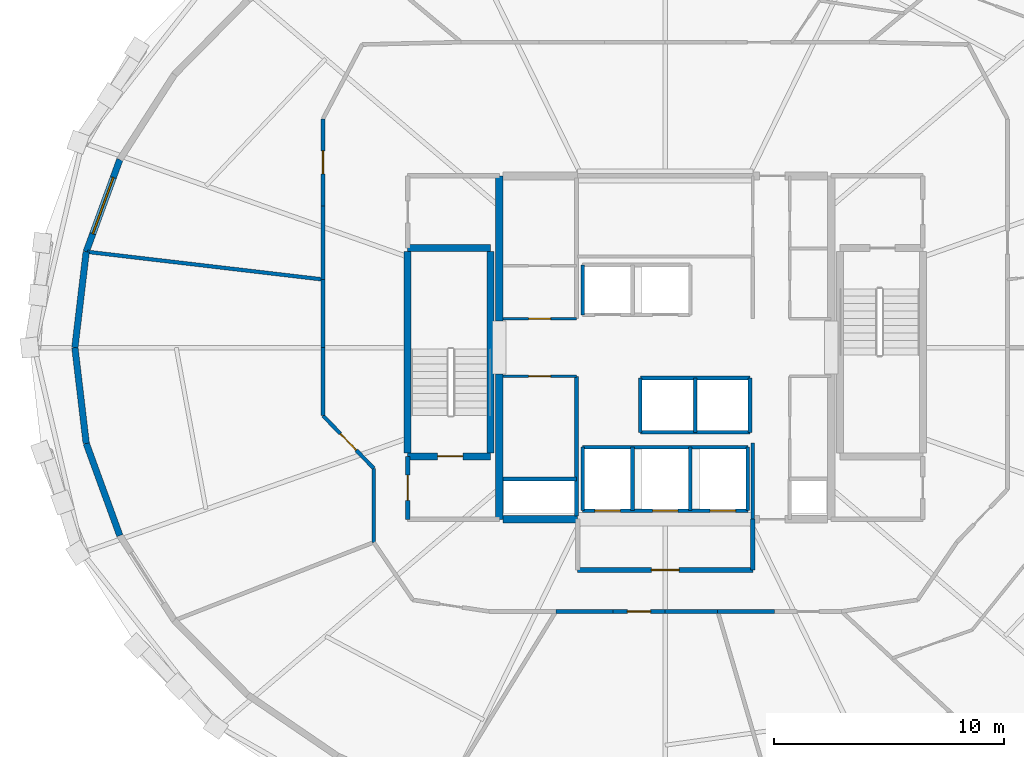
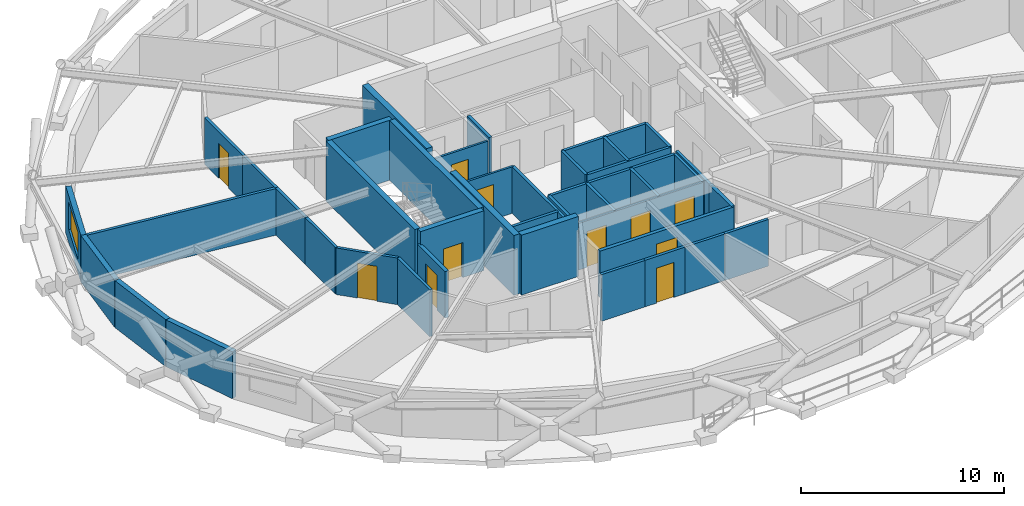
# One storey, part 11 of 15: 42 walls, 11 doors, 1 window, 12 openings.
"""IFC4 building model written with IfcOpenShell, lengths in metres."""

from ifc_helpers import new_model, si_unit, direction, frame, frame_2d, origin, place, context, subcontext, project, spatial, rectangle, extrude, material, layer, layer_set, type_object, element, fill, save


model = new_model("IFC4")

# Units and contexts
model_context = context("Model", 3, precision=1e-05, world=origin(), true_north=direction((0.0, 1.0)))
body_context = subcontext(model_context, "Body", "Model", "MODEL_VIEW")
ifc_project = project(units=[si_unit("LENGTHUNIT", "METRE"), si_unit("AREAUNIT", "SQUARE_METRE"), si_unit("VOLUMEUNIT", "CUBIC_METRE"), si_unit("PLANEANGLEUNIT", "RADIAN"), si_unit("MASSUNIT", "GRAM", prefix="KILO")], contexts=[model_context])

# Site, building, storey
site_placement = place(None, origin())
site = spatial("IfcSite", under=ifc_project, at=site_placement, CompositionType="ELEMENT")
building_placement = place(site_placement, origin())
building = spatial("IfcBuilding", under=site, at=building_placement, Name="Veldorina Hangang Commons", CompositionType="ELEMENT")
storey_placement = place(building_placement, frame((0.0, 0.0, 182.0)))
storey = spatial("IfcBuildingStorey", under=building, at=storey_placement, Name="L47", CompositionType="ELEMENT", Elevation=182.0)

# Walls
ifc_material_1 = material(Name="Concrete C60/75", Category="concrete")
ifc_layer_1 = layer(ifc_material_1, 0.340087890625)
ifc_layer_set_1 = layer_set([ifc_layer_1], Name="Concrete C60/75")
wall_type_1 = type_object("IfcWallType", Name="CW-RC340-C60", PredefinedType="SHEAR", material=ifc_layer_set_1)
for number, where, z_axis, x_axis, name in (
    (1, (24.800048828125, 16.550048828125, 0.0), (0.0, 0.0, 1.0), (0.0, 1.0, 0.0), "L47 W south core shear wall"),
    (2, (24.800048828125, 25.14990234375, 0.0), (0.0, 0.0, 1.0), (0.0, 1.0, 0.0), "L47 W north core shear wall"),
):
    element("IfcWall", number, at=place(storey_placement, frame(where, z_axis=z_axis, x_axis=x_axis)), inside=storey, type_object=wall_type_1, Name=name, PredefinedType="SHEAR", context=body_context, shape_type="SweptSolid", body=[
        extrude(rectangle(XDim=6.300048828125, YDim=0.340087890625, at=frame_2d((3.14990234375, 0.0))), origin(), (0.0, 0.0, 1.0), 3.60009765625),
    ])
wall_1_placement = place(storey_placement, frame((24.969970703125, 16.550048828125, 0.0), z_axis=(0.0, 0.0, 1.0), x_axis=(1.0, 0.0, 0.0)))
element("IfcWall", 3, at=wall_1_placement, inside=storey, type_object=wall_type_1, Name="L47 south-west core shear wall", PredefinedType="SHEAR", context=body_context, shape_type="SweptSolid", body=[
    extrude(rectangle(XDim=3.22998046875, YDim=0.340087890625, at=frame_2d((1.614990234375, 0.0))), origin(), (0.0, 0.0, 1.0), 3.60009765625),
])

# Wall, opening, window
ifc_material_2 = material(Name="Stone Roman Travertine", Category="masonry")
ifc_layer_2 = layer(ifc_material_2, 0.280029296875)
ifc_layer_set_2 = layer_set([ifc_layer_2], Name="Stone Roman Travertine")
wall_type_2 = type_object("IfcWallType", Name="EW-TRAV-280", PredefinedType="STANDARD", material=ifc_layer_set_2)
wall_2_placement = place(storey_placement, frame((8.333740234375, 32.1572265625, 0.0), z_axis=(0.0, 0.0, 1.0), x_axis=(-0.342502880714, -0.939516778298, 0.0)))
wall_2 = element("IfcWall", 4, at=wall_2_placement, inside=storey, type_object=wall_type_2, Name="L47 travertine facade wall 14", PredefinedType="STANDARD", context=body_context, shape_type="SweptSolid", body=[
    extrude(rectangle(XDim=4.256103515625, YDim=0.280029296875, at=frame_2d((2.1279296875, 0.0))), origin(), (0.0, 0.0, 1.0), 2.820068359375),
])
opening_1_placement = place(wall_2_placement, frame((0.828125, 0.0, 0.800048828125)))
opening_1 = element("IfcOpeningElement", 5, at=opening_1_placement, cuts=wall_2, Name="Opening W-02", PredefinedType="OPENING", context=body_context, shape_type="SweptSolid", body=[
    extrude(rectangle(XDim=2.60009765625, YDim=1.64990234375, at=frame_2d((1.300048828125, 0.824951171875))), frame((0.0, 0.14990234375, 0.0), z_axis=(0.0, -1.0, 0.0), x_axis=(1.0, 0.0, 0.0)), (0.0, 0.0, 1.0), 0.300048828125),
])
ifc_material_3 = material(Name="Glass Low-E Triple IGU", Category="glass")
window_type = type_object("IfcWindowType", Name="WIN-TWR-2600", PartitioningType="SINGLE_PANEL", PredefinedType="WINDOW", material=ifc_material_3)
window_placement = place(opening_1_placement, origin())
window = element("IfcWindow", 6, at=window_placement, inside=storey, type_object=window_type, Name="L47 facade window 14", OverallHeight=1.64990234375, OverallWidth=2.60009765625, PartitioningType="SINGLE_PANEL", PredefinedType="WINDOW", context=body_context, shape_type="SweptSolid", body=[
    extrude(rectangle(XDim=2.60009765625, YDim=1.64990234375, at=frame_2d((1.300048828125, 0.824951171875))), frame((0.0, 0.030029296875, 0.0), z_axis=(0.0, -1.0, 0.0), x_axis=(1.0, 0.0, 0.0)), (0.0, 0.0, 1.0), 0.06005859375),
])
fill(opening_1, window)

# Walls
for number, where, z_axis, x_axis, name in (
    (7, (6.8759765625, 28.158447265625, 0.0), (0.0, 0.0, 1.0), (-0.117538064351, -0.993068378023, 0.0), "L47 travertine facade wall 15"),
    (8, (6.3837890625, 24.0, 0.0), (0.0, 0.0, 1.0), (0.117538064351, -0.993068378023, 0.0), "L47 travertine facade wall 16"),
):
    element("IfcWall", number, at=place(storey_placement, frame(where, z_axis=z_axis, x_axis=x_axis)), inside=storey, type_object=wall_type_2, Name=name, PredefinedType="STANDARD", context=body_context, shape_type="SweptSolid", body=[
        extrude(rectangle(XDim=4.1875, YDim=0.280029296875, at=frame_2d((2.09375, 0.0))), origin(), (0.0, 0.0, 1.0), 2.820068359375),
    ])
wall_3_placement = place(storey_placement, frame((6.8759765625, 19.841552734375, 0.0), z_axis=(0.0, 0.0, 1.0), x_axis=(0.342502880714, -0.939516778298, 0.0)))
element("IfcWall", 9, at=wall_3_placement, inside=storey, type_object=wall_type_2, Name="L47 travertine facade wall 17", PredefinedType="STANDARD", context=body_context, shape_type="SweptSolid", body=[
    extrude(rectangle(XDim=4.256103515625, YDim=0.280029296875, at=frame_2d((2.1279296875, 0.0))), origin(), (0.0, 0.0, 1.0), 2.820068359375),
])
ifc_material_4 = material(Name="Concrete C50/60", Category="concrete")
ifc_layer_3 = layer(ifc_material_4, 0.300048828125)
ifc_layer_set_3 = layer_set([ifc_layer_3], Name="Concrete C50/60")
wall_type_3 = type_object("IfcWallType", Name="SW-STAIR-300", PredefinedType="SHEAR", material=ifc_layer_set_3)
for number, where, z_axis, x_axis, name in (
    (10, (20.820068359375, 19.429931640625, 0.0), (0.0, 0.0, 1.0), (0.0, 1.0, 0.0), "L47 ST1 outer stair shear wall"),
    (11, (24.419921875, 19.429931640625, 0.0), (0.0, 0.0, 1.0), (0.0, 1.0, 0.0), "L47 ST1 inner stair shear wall"),
):
    element("IfcWall", number, at=place(storey_placement, frame(where, z_axis=z_axis, x_axis=x_axis)), inside=storey, type_object=wall_type_3, Name=name, PredefinedType="SHEAR", context=body_context, shape_type="SweptSolid", body=[
        extrude(rectangle(XDim=8.739990234375, YDim=0.300048828125, at=frame_2d((4.3701171875, 0.0))), origin(), (0.0, 0.0, 1.0), 3.60009765625),
    ])

# Wall, opening, door
wall_4_placement = place(storey_placement, frame((20.820068359375, 19.280029296875, 0.0), z_axis=(0.0, 0.0, 1.0), x_axis=(1.0, 0.0, 0.0)))
wall_4 = element("IfcWall", 12, at=wall_4_placement, inside=storey, type_object=wall_type_3, Name="L47 ST1 south stair shear wall", PredefinedType="SHEAR", context=body_context, shape_type="SweptSolid", body=[
    extrude(rectangle(XDim=3.599853515625, YDim=0.300048828125, at=frame_2d((1.7998046875, 0.0))), origin(), (0.0, 0.0, 1.0), 3.60009765625),
])
opening_2_placement = place(wall_4_placement, frame((1.300048828125, 0.0, 0.0)))
opening_2 = element("IfcOpeningElement", 13, at=opening_2_placement, cuts=wall_4, Name="Opening D-08", PredefinedType="OPENING", context=body_context, shape_type="SweptSolid", body=[
    extrude(rectangle(XDim=1.10009765625, YDim=2.10009765625, at=frame_2d((0.550048828125, 1.050048828125))), frame((0.0, 0.16015625, 0.0), z_axis=(0.0, -1.0, 0.0), x_axis=(1.0, 0.0, 0.0)), (0.0, 0.0, 1.0), 0.320068359375),
])
ifc_material_5 = material(Name="Steel Fire-Rated Smoke Seal", Category="steel")
door_type_1 = type_object("IfcDoorType", Name="DR-FIRE-1100", OperationType="SINGLE_SWING_RIGHT", PredefinedType="DOOR", material=ifc_material_5)
door_1_placement = place(opening_2_placement, origin())
door_1 = element("IfcDoor", 14, at=door_1_placement, inside=storey, type_object=door_type_1, Name="L47 Special Escape Stair ST-1 door", OperationType="SINGLE_SWING_LEFT", OverallHeight=2.10009765625, OverallWidth=1.10009765625, PredefinedType="DOOR", context=body_context, shape_type="SweptSolid", body=[
    extrude(rectangle(XDim=1.10009765625, YDim=2.10009765625, at=frame_2d((0.550048828125, 1.050048828125))), frame((0.0, 0.02490234375, 0.0), z_axis=(0.0, -1.0, 0.0), x_axis=(1.0, 0.0, 0.0)), (0.0, 0.0, 1.0), 0.050048828125),
])
fill(opening_2, door_1)

# Walls
wall_5_placement = place(storey_placement, frame((20.820068359375, 28.320068359375, 0.0), z_axis=(0.0, 0.0, 1.0), x_axis=(1.0, 0.0, 0.0)))
element("IfcWall", 15, at=wall_5_placement, inside=storey, type_object=wall_type_3, Name="L47 ST1 north stair shear wall", PredefinedType="SHEAR", context=body_context, shape_type="SweptSolid", body=[
    extrude(rectangle(XDim=3.599853515625, YDim=0.300048828125, at=frame_2d((1.7998046875, 0.0))), origin(), (0.0, 0.0, 1.0), 3.60009765625),
])
ifc_material_6 = material(Name="Gypsum Fire-Rated Twin Stud Wall", Category="gypsum")
ifc_layer_4 = layer(ifc_material_6, 0.159912109375)
ifc_layer_set_4 = layer_set([ifc_layer_4], Name="Gypsum Fire-Rated Twin Stud Wall")
wall_type_4 = type_object("IfcWallType", Name="WL-FIRE-160", PredefinedType="SOLIDWALL", material=ifc_layer_set_4)
wall_6_placement = place(storey_placement, frame((35.800048828125, 16.550048828125, 0.0), z_axis=(0.0, 0.0, 1.0), x_axis=(0.0, 1.0, 0.0)))
element("IfcWall", 16, at=wall_6_placement, inside=storey, type_object=wall_type_4, Name="L47 Lift passage SW wall 009", PredefinedType="SOLIDWALL", context=body_context, shape_type="SweptSolid", body=[
    extrude(rectangle(XDim=3.300048828125, YDim=0.159912109375, at=frame_2d((1.64990234375, 0.0))), origin(), (0.0, 0.0, 1.0), 2.800048828125),
])
wall_7_placement = place(storey_placement, frame((28.419921875, 25.419921875, 0.0), z_axis=(0.0, 0.0, 1.0), x_axis=(0.0, 1.0, 0.0)))
element("IfcWall", 17, at=wall_7_placement, inside=storey, type_object=wall_type_4, Name="L47 PL-M1 west shaft wall 017", PredefinedType="SOLIDWALL", context=body_context, shape_type="SweptSolid", body=[
    extrude(rectangle(XDim=2.16015625, YDim=0.159912109375, at=frame_2d((1.080078125, 0.0))), origin(), (0.0, 0.0, 1.0), 2.800048828125),
])
for number, where, z_axis, x_axis, name in (
    (18, (30.919921875, 22.679931640625, 0.0), (0.0, 0.0, 1.0), (1.0, 0.0, 0.0), "L47 Shuttle-high front shaft wall 020"),
    (19, (30.919921875, 20.320068359375, 0.0), (0.0, 0.0, 1.0), (1.0, 0.0, 0.0), "L47 Shuttle-high rear shaft wall 021"),
):
    element("IfcWall", number, at=place(storey_placement, frame(where, z_axis=z_axis, x_axis=x_axis)), inside=storey, type_object=wall_type_4, Name=name, PredefinedType="SOLIDWALL", context=body_context, shape_type="SweptSolid", body=[
        extrude(rectangle(XDim=4.760009765625, YDim=0.159912109375, at=frame_2d((2.3798828125, 0.0))), origin(), (0.0, 0.0, 1.0), 2.800048828125),
    ])
for number, where, z_axis, x_axis, name in (
    (20, (30.919921875, 20.320068359375, 0.0), (0.0, 0.0, 1.0), (0.0, 1.0, 0.0), "L47 SL-1 west shaft wall 022"),
    (21, (33.300048828125, 20.320068359375, 0.0), (0.0, 0.0, 1.0), (0.0, 1.0, 0.0), "L47 SL-1 east shaft wall 023"),
    (22, (35.679931640625, 20.320068359375, 0.0), (0.0, 0.0, 1.0), (0.0, 1.0, 0.0), "L47 SL-2 east shaft wall 024"),
):
    element("IfcWall", number, at=place(storey_placement, frame(where, z_axis=z_axis, x_axis=x_axis)), inside=storey, type_object=wall_type_4, Name=name, PredefinedType="SOLIDWALL", context=body_context, shape_type="SweptSolid", body=[
        extrude(rectangle(XDim=2.35986328125, YDim=0.159912109375, at=frame_2d((1.179931640625, 0.0))), origin(), (0.0, 0.0, 1.0), 2.800048828125),
    ])

# Wall, openings, doors
wall_8_placement = place(storey_placement, frame((28.419921875, 16.919921875, 0.0), z_axis=(0.0, 0.0, 1.0), x_axis=(1.0, 0.0, 0.0)))
wall_8 = element("IfcWall", 23, at=wall_8_placement, inside=storey, type_object=wall_type_4, Name="L47 Emergency front shaft wall 025", PredefinedType="SOLIDWALL", context=body_context, shape_type="SweptSolid", body=[
    extrude(rectangle(XDim=7.16015625, YDim=0.159912109375, at=frame_2d((3.580078125, 0.0))), origin(), (0.0, 0.0, 1.0), 2.800048828125),
])
opening_3_placement = place(wall_8_placement, frame((0.530029296875, 0.0, 0.0)))
opening_3 = element("IfcOpeningElement", 24, at=opening_3_placement, cuts=wall_8, Name="Opening LD-03", PredefinedType="OPENING", context=body_context, shape_type="SweptSolid", body=[
    extrude(rectangle(XDim=1.10009765625, YDim=2.14990234375, at=frame_2d((0.550048828125, 1.074951171875))), frame((0.0, 0.08984375, 0.0), z_axis=(0.0, -1.0, 0.0), x_axis=(1.0, 0.0, 0.0)), (0.0, 0.0, 1.0), 0.179931640625),
])
opening_4_placement = place(wall_8_placement, frame((3.030029296875, 0.0, 0.0)))
opening_4 = element("IfcOpeningElement", 25, at=opening_4_placement, cuts=wall_8, Name="Opening LD-03", PredefinedType="OPENING", context=body_context, shape_type="SweptSolid", body=[
    extrude(rectangle(XDim=1.10009765625, YDim=2.14990234375, at=frame_2d((0.550048828125, 1.074951171875))), frame((0.0, 0.08984375, 0.0), z_axis=(0.0, -1.0, 0.0), x_axis=(1.0, 0.0, 0.0)), (0.0, 0.0, 1.0), 0.179931640625),
])
opening_5_placement = place(wall_8_placement, frame((5.530029296875, 0.0, 0.0)))
opening_5 = element("IfcOpeningElement", 26, at=opening_5_placement, cuts=wall_8, Name="Opening LD-03", PredefinedType="OPENING", context=body_context, shape_type="SweptSolid", body=[
    extrude(rectangle(XDim=1.10009765625, YDim=2.14990234375, at=frame_2d((0.550048828125, 1.074951171875))), frame((0.0, 0.08984375, 0.0), z_axis=(0.0, -1.0, 0.0), x_axis=(1.0, 0.0, 0.0)), (0.0, 0.0, 1.0), 0.179931640625),
])
ifc_material_7 = material(Name="Stainless Steel Firefighting Lift Door", Category="steel")
door_type_2 = type_object("IfcDoorType", Name="DR-LIFT-FF1100", OperationType="SLIDING_TO_RIGHT", PredefinedType="DOOR", material=ifc_material_7)
door_2_placement = place(opening_3_placement, origin())
door_2 = element("IfcDoor", 27, at=door_2_placement, inside=storey, type_object=door_type_2, Name="L47 Emergency lift FFL-1 landing door 008", OperationType="SLIDING_TO_RIGHT", OverallHeight=2.14990234375, OverallWidth=1.10009765625, PredefinedType="DOOR", context=body_context, shape_type="SweptSolid", body=[
    extrude(rectangle(XDim=1.10009765625, YDim=2.14990234375, at=frame_2d((0.550048828125, 1.074951171875))), frame((0.0, 0.02490234375, 0.0), z_axis=(0.0, -1.0, 0.0), x_axis=(1.0, 0.0, 0.0)), (0.0, 0.0, 1.0), 0.050048828125),
])
fill(opening_3, door_2)
door_3_placement = place(opening_4_placement, origin())
door_3 = element("IfcDoor", 28, at=door_3_placement, inside=storey, type_object=door_type_2, Name="L47 Emergency lift FFL-2 landing door 009", OperationType="SLIDING_TO_RIGHT", OverallHeight=2.14990234375, OverallWidth=1.10009765625, PredefinedType="DOOR", context=body_context, shape_type="SweptSolid", body=[
    extrude(rectangle(XDim=1.10009765625, YDim=2.14990234375, at=frame_2d((0.550048828125, 1.074951171875))), frame((0.0, 0.02490234375, 0.0), z_axis=(0.0, -1.0, 0.0), x_axis=(1.0, 0.0, 0.0)), (0.0, 0.0, 1.0), 0.050048828125),
])
fill(opening_4, door_3)
door_4_placement = place(opening_5_placement, origin())
door_4 = element("IfcDoor", 29, at=door_4_placement, inside=storey, type_object=door_type_2, Name="L47 Emergency lift EVL-1 landing door 010", OperationType="SLIDING_TO_RIGHT", OverallHeight=2.14990234375, OverallWidth=1.10009765625, PredefinedType="DOOR", context=body_context, shape_type="SweptSolid", body=[
    extrude(rectangle(XDim=1.10009765625, YDim=2.14990234375, at=frame_2d((0.550048828125, 1.074951171875))), frame((0.0, 0.02490234375, 0.0), z_axis=(0.0, -1.0, 0.0), x_axis=(1.0, 0.0, 0.0)), (0.0, 0.0, 1.0), 0.050048828125),
])
fill(opening_5, door_4)

# Walls
wall_9_placement = place(storey_placement, frame((28.419921875, 19.679931640625, 0.0), z_axis=(0.0, 0.0, 1.0), x_axis=(1.0, 0.0, 0.0)))
element("IfcWall", 30, at=wall_9_placement, inside=storey, type_object=wall_type_4, Name="L47 Emergency rear shaft wall 026", PredefinedType="SOLIDWALL", context=body_context, shape_type="SweptSolid", body=[
    extrude(rectangle(XDim=7.16015625, YDim=0.159912109375, at=frame_2d((3.580078125, 0.0))), origin(), (0.0, 0.0, 1.0), 2.800048828125),
])
for number, where, z_axis, x_axis, name in (
    (31, (28.419921875, 16.919921875, 0.0), (0.0, 0.0, 1.0), (0.0, 1.0, 0.0), "L47 FFL-1 west shaft wall 027"),
    (32, (30.580078125, 16.919921875, 0.0), (0.0, 0.0, 1.0), (0.0, 1.0, 0.0), "L47 FFL-1 east shaft wall 028"),
    (33, (33.080078125, 16.919921875, 0.0), (0.0, 0.0, 1.0), (0.0, 1.0, 0.0), "L47 FFL-2 east shaft wall 029"),
    (34, (35.580078125, 16.919921875, 0.0), (0.0, 0.0, 1.0), (0.0, 1.0, 0.0), "L47 EVL-1 east shaft wall 030"),
):
    element("IfcWall", number, at=place(storey_placement, frame(where, z_axis=z_axis, x_axis=x_axis)), inside=storey, type_object=wall_type_4, Name=name, PredefinedType="SOLIDWALL", context=body_context, shape_type="SweptSolid", body=[
        extrude(rectangle(XDim=2.760009765625, YDim=0.159912109375, at=frame_2d((1.3798828125, 0.0))), origin(), (0.0, 0.0, 1.0), 2.800048828125),
    ])
wall_10_placement = place(storey_placement, frame((24.949951171875, 18.300048828125, 0.0), z_axis=(0.0, 0.0, 1.0), x_axis=(1.0, 0.0, 0.0)))
element("IfcWall", 35, at=wall_10_placement, inside=storey, type_object=wall_type_4, Name="L47 Electrical riser wall 034", PredefinedType="SOLIDWALL", context=body_context, shape_type="SweptSolid", body=[
    extrude(rectangle(XDim=3.199951171875, YDim=0.159912109375, at=frame_2d((1.60009765625, 0.0))), origin(), (0.0, 0.0, 1.0), 2.800048828125),
])
wall_11_placement = place(storey_placement, frame((28.14990234375, 16.699951171875, 0.0), z_axis=(0.0, 0.0, 1.0), x_axis=(0.0, 1.0, 0.0)))
element("IfcWall", 36, at=wall_11_placement, inside=storey, type_object=wall_type_4, Name="L47 SW core inner wall 035", PredefinedType="SOLIDWALL", context=body_context, shape_type="SweptSolid", body=[
    extrude(rectangle(XDim=6.050048828125, YDim=0.159912109375, at=frame_2d((3.02490234375, 0.0))), origin(), (0.0, 0.0, 1.0), 2.800048828125),
])

# Wall, opening, door
wall_12_placement = place(storey_placement, frame((17.14990234375, 33.922607421875, 0.0), z_axis=(0.0, 0.0, 1.0), x_axis=(0.0, -1.0, 0.0)))
wall_12 = element("IfcWall", 37, at=wall_12_placement, inside=storey, type_object=wall_type_4, Name="L47 U-corridor outer wall 13 059", PredefinedType="SOLIDWALL", context=body_context, shape_type="SweptSolid", body=[
    extrude(rectangle(XDim=3.771484375, YDim=0.159912109375, at=frame_2d((1.8857421875, 0.0))), origin(), (0.0, 0.0, 1.0), 2.800048828125),
])
opening_6_placement = place(wall_12_placement, frame((1.3857421875, 0.0, 0.0)))
opening_6 = element("IfcOpeningElement", 38, at=opening_6_placement, cuts=wall_12, Name="Opening D-05", PredefinedType="OPENING", context=body_context, shape_type="SweptSolid", body=[
    extrude(rectangle(XDim=1.0, YDim=2.10009765625, at=frame_2d((0.5, 1.050048828125))), frame((0.0, 0.08984375, 0.0), z_axis=(0.0, -1.0, 0.0), x_axis=(1.0, 0.0, 0.0)), (0.0, 0.0, 1.0), 0.179931640625),
])
ifc_material_8 = material(Name="Timber Solid Core Acoustic", Category="wood")
door_type_3 = type_object("IfcDoorType", Name="DR-INT-1000", OperationType="SINGLE_SWING_RIGHT", PredefinedType="DOOR", material=ifc_material_8)
door_5_placement = place(opening_6_placement, origin())
door_5 = element("IfcDoor", 39, at=door_5_placement, inside=storey, type_object=door_type_3, Name="L47 Floor Study Room 4 door 030", OperationType="SINGLE_SWING_RIGHT", OverallHeight=2.10009765625, OverallWidth=1.0, PredefinedType="DOOR", context=body_context, shape_type="SweptSolid", body=[
    extrude(rectangle(XDim=1.0, YDim=2.10009765625, at=frame_2d((0.5, 1.050048828125))), frame((0.0, 0.02490234375, 0.0), z_axis=(0.0, -1.0, 0.0), x_axis=(1.0, 0.0, 0.0)), (0.0, 0.0, 1.0), 0.050048828125),
])
fill(opening_6, door_5)

# Walls
wall_13_placement = place(storey_placement, frame((17.14990234375, 30.151123046875, 0.0), z_axis=(0.0, 0.0, 1.0), x_axis=(0.0, -1.0, 0.0)))
element("IfcWall", 40, at=wall_13_placement, inside=storey, type_object=wall_type_4, Name="L47 U-corridor outer wall 14 060", PredefinedType="SOLIDWALL", context=body_context, shape_type="SweptSolid", body=[
    extrude(rectangle(XDim=3.197265625, YDim=0.159912109375, at=frame_2d((1.5986328125, 0.0))), origin(), (0.0, 0.0, 1.0), 2.800048828125),
])
for number, where, z_axis, x_axis, name in (
    (41, (17.14990234375, 26.953857421875, 0.0), (0.0, 0.0, 1.0), (0.0, -1.0, 0.0), "L47 U-corridor outer wall 15 061"),
    (42, (17.14990234375, 24.0, 0.0), (0.0, 0.0, 1.0), (0.0, -1.0, 0.0), "L47 U-corridor outer wall 16 062"),
):
    element("IfcWall", number, at=place(storey_placement, frame(where, z_axis=z_axis, x_axis=x_axis)), inside=storey, type_object=wall_type_4, Name=name, PredefinedType="SOLIDWALL", context=body_context, shape_type="SweptSolid", body=[
        extrude(rectangle(XDim=2.953857421875, YDim=0.159912109375, at=frame_2d((1.47705078125, 0.0))), origin(), (0.0, 0.0, 1.0), 2.800048828125),
    ])

# Wall, opening, door
wall_14_placement = place(storey_placement, frame((17.14990234375, 21.046142578125, 0.0), z_axis=(0.0, 0.0, 1.0), x_axis=(0.693473090138, -0.72048252807, 0.0)))
wall_14 = element("IfcWall", 43, at=wall_14_placement, inside=storey, type_object=wall_type_4, Name="L47 U-corridor outer wall 17 063", PredefinedType="SOLIDWALL", context=body_context, shape_type="SweptSolid", body=[
    extrude(rectangle(XDim=3.172607421875, YDim=0.159912109375, at=frame_2d((1.58642578125, 0.0))), origin(), (0.0, 0.0, 1.0), 2.800048828125),
])
opening_7_placement = place(wall_14_placement, frame((1.086181640625, 0.0, 0.0)))
opening_7 = element("IfcOpeningElement", 44, at=opening_7_placement, cuts=wall_14, Name="Opening D-05", PredefinedType="OPENING", context=body_context, shape_type="SweptSolid", body=[
    extrude(rectangle(XDim=1.0, YDim=2.10009765625, at=frame_2d((0.5, 1.050048828125))), frame((0.0, 0.08984375, 0.0), z_axis=(0.0, -1.0, 0.0), x_axis=(1.0, 0.0, 0.0)), (0.0, 0.0, 1.0), 0.179931640625),
])
door_6_placement = place(opening_7_placement, origin())
door_6 = element("IfcDoor", 45, at=door_6_placement, inside=storey, type_object=door_type_3, Name="L47 Floor Study Room 5 door 031", OperationType="SINGLE_SWING_LEFT", OverallHeight=2.10009765625, OverallWidth=1.0, PredefinedType="DOOR", context=body_context, shape_type="SweptSolid", body=[
    extrude(rectangle(XDim=1.0, YDim=2.10009765625, at=frame_2d((0.5, 1.050048828125))), frame((0.0, 0.02490234375, 0.0), z_axis=(0.0, -1.0, 0.0), x_axis=(1.0, 0.0, 0.0)), (0.0, 0.0, 1.0), 0.050048828125),
])
fill(opening_7, door_6)

# Walls
wall_15_placement = place(storey_placement, frame((19.35009765625, 18.76025390625, 0.0), z_axis=(0.0, 0.0, 1.0), x_axis=(0.0, -1.0, 0.0)))
element("IfcWall", 46, at=wall_15_placement, inside=storey, type_object=wall_type_4, Name="L47 U-corridor outer wall 18 064", PredefinedType="SOLIDWALL", context=body_context, shape_type="SweptSolid", body=[
    extrude(rectangle(XDim=3.212646484375, YDim=0.159912109375, at=frame_2d((1.6064453125, 0.0))), origin(), (0.0, 0.0, 1.0), 2.800048828125),
])
wall_16_placement = place(storey_placement, frame((27.25732421875, 12.550048828125, 0.0), z_axis=(0.0, 0.0, 1.0), x_axis=(1.0, 0.0, 0.0)))
element("IfcWall", 47, at=wall_16_placement, inside=storey, type_object=wall_type_4, Name="L47 U-corridor outer wall 22 068", PredefinedType="SOLIDWALL", context=body_context, shape_type="SweptSolid", body=[
    extrude(rectangle(XDim=2.465087890625, YDim=0.159912109375, at=frame_2d((1.232421875, 0.0))), origin(), (0.0, 0.0, 1.0), 2.800048828125),
])

# Wall, opening, door
wall_17_placement = place(storey_placement, frame((29.722412109375, 12.550048828125, 0.0), z_axis=(0.0, 0.0, 1.0), x_axis=(1.0, 0.0, 0.0)))
wall_17 = element("IfcWall", 48, at=wall_17_placement, inside=storey, type_object=wall_type_4, Name="L47 U-corridor outer wall 23 069", PredefinedType="SOLIDWALL", context=body_context, shape_type="SweptSolid", body=[
    extrude(rectangle(XDim=2.277587890625, YDim=0.159912109375, at=frame_2d((1.138671875, 0.0))), origin(), (0.0, 0.0, 1.0), 2.800048828125),
])
opening_8_placement = place(wall_17_placement, frame((0.638671875, 0.0, 0.0)))
opening_8 = element("IfcOpeningElement", 49, at=opening_8_placement, cuts=wall_17, Name="Opening D-05", PredefinedType="OPENING", context=body_context, shape_type="SweptSolid", body=[
    extrude(rectangle(XDim=1.0, YDim=2.10009765625, at=frame_2d((0.5, 1.050048828125))), frame((0.0, 0.08984375, 0.0), z_axis=(0.0, -1.0, 0.0), x_axis=(1.0, 0.0, 0.0)), (0.0, 0.0, 1.0), 0.179931640625),
])
door_7_placement = place(opening_8_placement, origin())
door_7 = element("IfcDoor", 50, at=door_7_placement, inside=storey, type_object=door_type_3, Name="L47 Seminar Focus Room 7 door 033", OperationType="SINGLE_SWING_LEFT", OverallHeight=2.10009765625, OverallWidth=1.0, PredefinedType="DOOR", context=body_context, shape_type="SweptSolid", body=[
    extrude(rectangle(XDim=1.0, YDim=2.10009765625, at=frame_2d((0.5, 1.050048828125))), frame((0.0, 0.02490234375, 0.0), z_axis=(0.0, -1.0, 0.0), x_axis=(1.0, 0.0, 0.0)), (0.0, 0.0, 1.0), 0.050048828125),
])
fill(opening_8, door_7)

# Walls
wall_18_placement = place(storey_placement, frame((32.0, 12.550048828125, 0.0), z_axis=(0.0, 0.0, 1.0), x_axis=(1.0, 0.0, 0.0)))
element("IfcWall", 51, at=wall_18_placement, inside=storey, type_object=wall_type_4, Name="L47 U-corridor outer wall 24 070", PredefinedType="SOLIDWALL", context=body_context, shape_type="SweptSolid", body=[
    extrude(rectangle(XDim=2.277587890625, YDim=0.159912109375, at=frame_2d((1.138671875, 0.0))), origin(), (0.0, 0.0, 1.0), 2.800048828125),
])
wall_19_placement = place(storey_placement, frame((34.277587890625, 12.550048828125, 0.0), z_axis=(0.0, 0.0, 1.0), x_axis=(1.0, 0.0, 0.0)))
element("IfcWall", 52, at=wall_19_placement, inside=storey, type_object=wall_type_4, Name="L47 U-corridor outer wall 25 071", PredefinedType="SOLIDWALL", context=body_context, shape_type="SweptSolid", body=[
    extrude(rectangle(XDim=2.465087890625, YDim=0.159912109375, at=frame_2d((1.232421875, 0.0))), origin(), (0.0, 0.0, 1.0), 2.800048828125),
])
wall_20_placement = place(storey_placement, frame((17.14990234375, 26.953857421875, 0.0), z_axis=(0.0, 0.0, 1.0), x_axis=(-0.993196826009, 0.116447691287, 0.0)))
element("IfcWall", 53, at=wall_20_placement, inside=storey, type_object=wall_type_4, Name="L47 Unit party wall 15 101", PredefinedType="SOLIDWALL", context=body_context, shape_type="SweptSolid", body=[
    extrude(rectangle(XDim=10.294189453125, YDim=0.159912109375, at=frame_2d((5.14697265625, 0.0))), origin(), (0.0, 0.0, 1.0), 2.800048828125),
])

# Wall, opening, door
ifc_material_9 = material(Name="Concrete Blockwork Fire Wall C30/37", Category="masonry")
ifc_layer_5 = layer(ifc_material_9, 0.199951171875)
ifc_layer_set_5 = layer_set([ifc_layer_5], Name="Concrete Blockwork Fire Wall C30/37")
wall_type_5 = type_object("IfcWallType", Name="WL-FIRE-200", PredefinedType="SOLIDWALL", material=ifc_layer_set_5)
wall_21_placement = place(storey_placement, frame((20.820068359375, 16.550048828125, 0.0), z_axis=(0.0, 0.0, 1.0), x_axis=(0.0, 1.0, 0.0)))
wall_21 = element("IfcWall", 54, at=wall_21_placement, inside=storey, type_object=wall_type_5, Name="L47 West vestibule outer wall 001", PredefinedType="SOLIDWALL", context=body_context, shape_type="SweptSolid", body=[
    extrude(rectangle(XDim=2.72998046875, YDim=0.199951171875, at=frame_2d((1.364990234375, 0.0))), origin(), (0.0, 0.0, 1.0), 2.800048828125),
])
opening_9_placement = place(wall_21_placement, frame((0.81494140625, 0.0, 0.0)))
opening_9 = element("IfcOpeningElement", 55, at=opening_9_placement, cuts=wall_21, Name="Opening D-08", PredefinedType="OPENING", context=body_context, shape_type="SweptSolid", body=[
    extrude(rectangle(XDim=1.10009765625, YDim=2.10009765625, at=frame_2d((0.550048828125, 1.050048828125))), frame((0.0, 0.10986328125, 0.0), z_axis=(0.0, -1.0, 0.0), x_axis=(1.0, 0.0, 0.0)), (0.0, 0.0, 1.0), 0.219970703125),
])
door_8_placement = place(opening_9_placement, origin())
door_8 = element("IfcDoor", 56, at=door_8_placement, inside=storey, type_object=door_type_1, Name="L47 West vestibule west door 001", OperationType="SINGLE_SWING_LEFT", OverallHeight=2.10009765625, OverallWidth=1.10009765625, PredefinedType="DOOR", context=body_context, shape_type="SweptSolid", body=[
    extrude(rectangle(XDim=1.10009765625, YDim=2.10009765625, at=frame_2d((0.550048828125, 1.050048828125))), frame((0.0, 0.02490234375, 0.0), z_axis=(0.0, -1.0, 0.0), x_axis=(1.0, 0.0, 0.0)), (0.0, 0.0, 1.0), 0.050048828125),
])
fill(opening_9, door_8)

# Wall
wall_22_placement = place(storey_placement, frame((35.800048828125, 14.35009765625, 0.0), z_axis=(0.0, 0.0, 1.0), x_axis=(0.0, 1.0, 0.0)))
element("IfcWall", 57, at=wall_22_placement, inside=storey, type_object=wall_type_5, Name="L47 FF lobby east wall 013", PredefinedType="SOLIDWALL", context=body_context, shape_type="SweptSolid", body=[
    extrude(rectangle(XDim=2.199951171875, YDim=0.199951171875, at=frame_2d((1.10009765625, 0.0))), origin(), (0.0, 0.0, 1.0), 2.800048828125),
])

# Wall, opening, door
wall_23_placement = place(storey_placement, frame((28.199951171875, 14.35009765625, 0.0), z_axis=(0.0, 0.0, 1.0), x_axis=(1.0, 0.0, 0.0)))
wall_23 = element("IfcWall", 58, at=wall_23_placement, inside=storey, type_object=wall_type_5, Name="L47 FF lobby south wall 014", PredefinedType="SOLIDWALL", context=body_context, shape_type="SweptSolid", body=[
    extrude(rectangle(XDim=7.60009765625, YDim=0.199951171875, at=frame_2d((3.800048828125, 0.0))), origin(), (0.0, 0.0, 1.0), 2.800048828125),
])
opening_10_placement = place(wall_23_placement, frame((3.199951171875, 0.0, 0.0)))
opening_10 = element("IfcOpeningElement", 59, at=opening_10_placement, cuts=wall_23, Name="Opening D-09", PredefinedType="OPENING", context=body_context, shape_type="SweptSolid", body=[
    extrude(rectangle(XDim=1.199951171875, YDim=2.10009765625, at=frame_2d((0.60009765625, 1.050048828125))), frame((0.0, 0.10986328125, 0.0), z_axis=(0.0, -1.0, 0.0), x_axis=(1.0, 0.0, 0.0)), (0.0, 0.0, 1.0), 0.219970703125),
])
ifc_material_10 = material(Name="Steel Fire-Rated Corridor Door", Category="steel")
door_type_4 = type_object("IfcDoorType", Name="DR-FIRE-1200", OperationType="SINGLE_SWING_LEFT", PredefinedType="DOOR", material=ifc_material_10)
door_9_placement = place(opening_10_placement, origin())
door_9 = element("IfcDoor", 60, at=door_9_placement, inside=storey, type_object=door_type_4, Name="L47 FF lobby south corridor door 005", OperationType="SINGLE_SWING_LEFT", OverallHeight=2.10009765625, OverallWidth=1.199951171875, PredefinedType="DOOR", context=body_context, shape_type="SweptSolid", body=[
    extrude(rectangle(XDim=1.199951171875, YDim=2.10009765625, at=frame_2d((0.60009765625, 1.050048828125))), frame((0.0, 0.02490234375, 0.0), z_axis=(0.0, -1.0, 0.0), x_axis=(1.0, 0.0, 0.0)), (0.0, 0.0, 1.0), 0.050048828125),
])
fill(opening_10, door_9)

ifc_material_11 = material(Name="Gypsum Acoustic Stud Partition", Category="gypsum")
ifc_layer_6 = layer(ifc_material_11, 0.1201171875)
ifc_layer_set_6 = layer_set([ifc_layer_6], Name="Gypsum Acoustic Stud Partition")
wall_type_6 = type_object("IfcWallType", Name="WL-PART-120", PredefinedType="PARTITIONING", material=ifc_layer_set_6)
wall_24_placement = place(storey_placement, frame((24.949951171875, 25.25, 0.0), z_axis=(0.0, 0.0, 1.0), x_axis=(1.0, 0.0, 0.0)))
wall_24 = element("IfcWall", 61, at=wall_24_placement, inside=storey, type_object=wall_type_6, Name="L47 NW service south wall 038", PredefinedType="PARTITIONING", context=body_context, shape_type="SweptSolid", body=[
    extrude(rectangle(XDim=3.199951171875, YDim=0.1201171875, at=frame_2d((1.60009765625, 0.0))), origin(), (0.0, 0.0, 1.0), 2.800048828125),
])
opening_11_placement = place(wall_24_placement, frame((1.125, 0.0, 0.0)))
opening_11 = element("IfcOpeningElement", 62, at=opening_11_placement, cuts=wall_24, Name="Opening D-02", PredefinedType="OPENING", context=body_context, shape_type="SweptSolid", body=[
    extrude(rectangle(XDim=0.949951171875, YDim=2.10009765625, at=frame_2d((0.47509765625, 1.050048828125))), frame((0.0, 0.070068359375, 0.0), z_axis=(0.0, -1.0, 0.0), x_axis=(1.0, 0.0, 0.0)), (0.0, 0.0, 1.0), 0.14013671875),
])
door_type_5 = type_object("IfcDoorType", Name="DR-INT-950", OperationType="SINGLE_SWING_LEFT", PredefinedType="DOOR", material=ifc_material_8)
door_10_placement = place(opening_11_placement, origin())
door_10 = element("IfcDoor", 63, at=door_10_placement, inside=storey, type_object=door_type_5, Name="L47 Housekeeping pantry door 012", OperationType="SINGLE_SWING_RIGHT", OverallHeight=2.10009765625, OverallWidth=0.949951171875, PredefinedType="DOOR", context=body_context, shape_type="SweptSolid", body=[
    extrude(rectangle(XDim=0.949951171875, YDim=2.10009765625, at=frame_2d((0.47509765625, 1.050048828125))), frame((0.0, 0.02490234375, 0.0), z_axis=(0.0, -1.0, 0.0), x_axis=(1.0, 0.0, 0.0)), (0.0, 0.0, 1.0), 0.050048828125),
])
fill(opening_11, door_10)

wall_25_placement = place(storey_placement, frame((24.949951171875, 22.75, 0.0), z_axis=(0.0, 0.0, 1.0), x_axis=(1.0, 0.0, 0.0)))
wall_25 = element("IfcWall", 64, at=wall_25_placement, inside=storey, type_object=wall_type_6, Name="L47 SW service north wall 039", PredefinedType="PARTITIONING", context=body_context, shape_type="SweptSolid", body=[
    extrude(rectangle(XDim=3.199951171875, YDim=0.1201171875, at=frame_2d((1.60009765625, 0.0))), origin(), (0.0, 0.0, 1.0), 2.800048828125),
])
opening_12_placement = place(wall_25_placement, frame((1.125, 0.0, 0.0)))
opening_12 = element("IfcOpeningElement", 65, at=opening_12_placement, cuts=wall_25, Name="Opening D-02", PredefinedType="OPENING", context=body_context, shape_type="SweptSolid", body=[
    extrude(rectangle(XDim=0.949951171875, YDim=2.10009765625, at=frame_2d((0.47509765625, 1.050048828125))), frame((0.0, 0.070068359375, 0.0), z_axis=(0.0, -1.0, 0.0), x_axis=(1.0, 0.0, 0.0)), (0.0, 0.0, 1.0), 0.14013671875),
])
door_11_placement = place(opening_12_placement, origin())
door_11 = element("IfcDoor", 66, at=door_11_placement, inside=storey, type_object=door_type_5, Name="L47 Waste sorting door 014", OperationType="SINGLE_SWING_RIGHT", OverallHeight=2.10009765625, OverallWidth=0.949951171875, PredefinedType="DOOR", context=body_context, shape_type="SweptSolid", body=[
    extrude(rectangle(XDim=0.949951171875, YDim=2.10009765625, at=frame_2d((0.47509765625, 1.050048828125))), frame((0.0, 0.02490234375, 0.0), z_axis=(0.0, -1.0, 0.0), x_axis=(1.0, 0.0, 0.0)), (0.0, 0.0, 1.0), 0.050048828125),
])
fill(opening_12, door_11)

save(model, "model.ifc")
